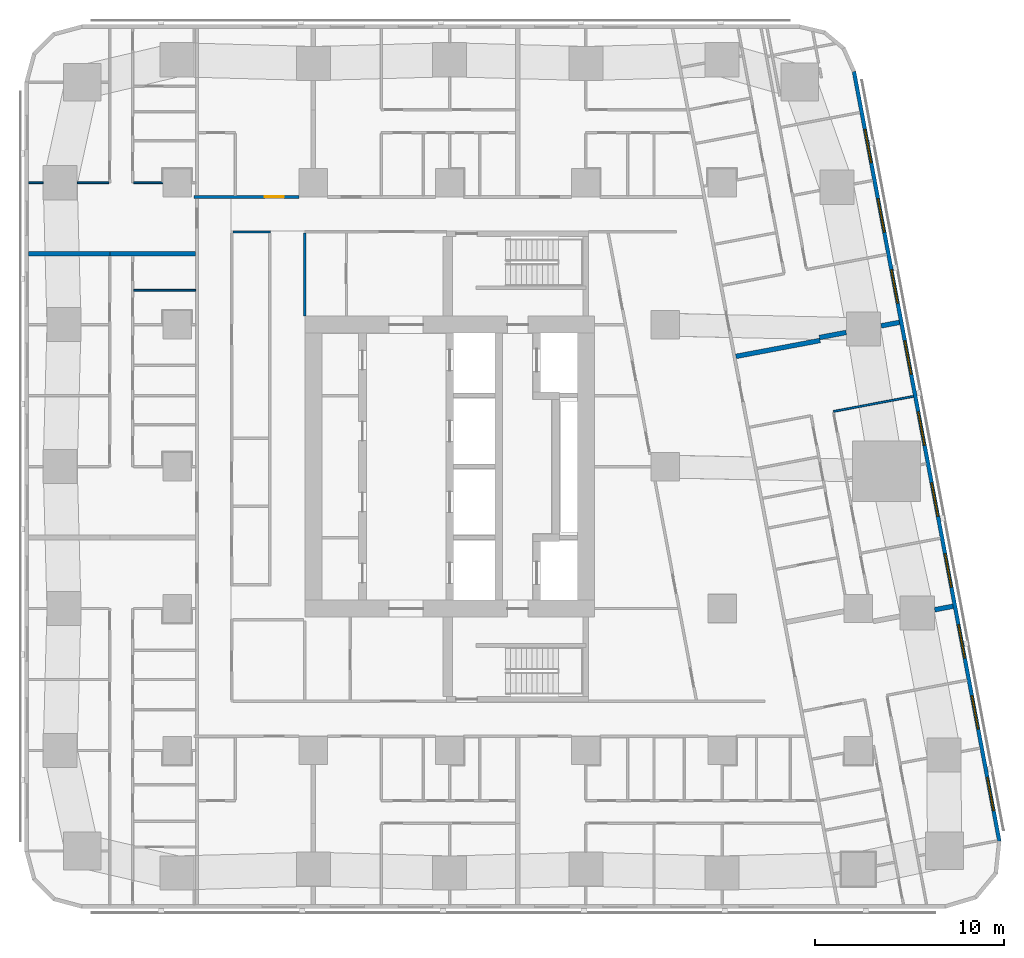
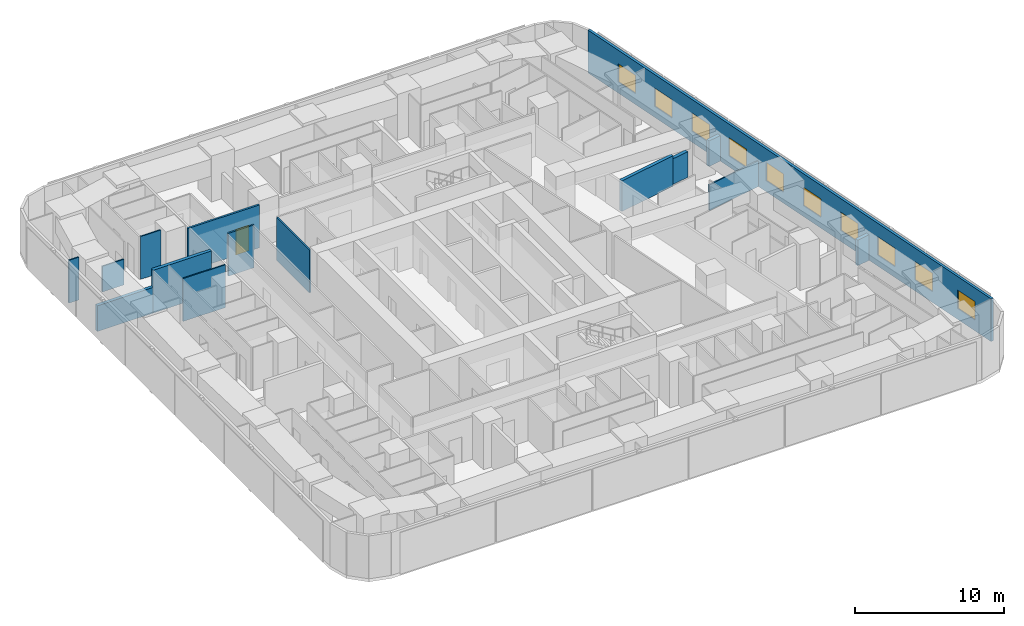
# One storey, part 8 of 15: 15 walls, 10 windows, 1 door, 11 openings.
"""IFC4 building model written with IfcOpenShell, lengths in metres."""

from ifc_helpers import new_model, si_unit, direction, frame, frame_2d, origin, place, context, subcontext, project, spatial, rectangle, extrude, material, layer, layer_set, type_object, element, fill, save


model = new_model("IFC4")

# Units and contexts
model_context = context("Model", 3, precision=1e-05, world=origin(), true_north=direction((0.0, 1.0)))
body_context = subcontext(model_context, "Body", "Model", "MODEL_VIEW")
ifc_project = project(units=[si_unit("LENGTHUNIT", "METRE"), si_unit("AREAUNIT", "SQUARE_METRE"), si_unit("VOLUMEUNIT", "CUBIC_METRE"), si_unit("PLANEANGLEUNIT", "RADIAN"), si_unit("MASSUNIT", "GRAM", prefix="KILO")], contexts=[model_context])

# Site, building, storey
site_placement = place(None, origin())
site = spatial("IfcSite", under=ifc_project, at=site_placement, CompositionType="ELEMENT")
building_placement = place(site_placement, origin())
building = spatial("IfcBuilding", under=site, at=building_placement, Name="Sheger Commons Tower", CompositionType="ELEMENT")
storey_placement = place(building_placement, frame((0.0, 0.0, 150.800048828125)))
storey = spatial("IfcBuildingStorey", under=building, at=storey_placement, Name="L38", CompositionType="ELEMENT", Elevation=150.800048828125)

# Wall, opening, door
ifc_material_1 = material(Name="Hollow concrete block masonry, skimmed both sides", Category="masonry")
ifc_layer_1 = layer(ifc_material_1, 0.14990234375)
ifc_layer_set_1 = layer_set([ifc_layer_1], Name="CORRIDOR WALL 150")
wall_type_1 = type_object("IfcWallType", Name="CORRIDOR WALL 150", PredefinedType="SOLIDWALL", material=ifc_layer_set_1)
wall_1_placement = place(storey_placement, frame((8.10009765625, 36.75, 0.0), z_axis=(0.0, 0.0, 1.0), x_axis=(1.0, 0.0, 0.0)))
wall_1 = element("IfcWall", 1, at=wall_1_placement, inside=storey, type_object=wall_type_1, Name="Corridor wall L38", PredefinedType="SOLIDWALL", context=body_context, shape_type="SweptSolid", body=[
    extrude(rectangle(XDim=5.548828125, YDim=0.14990234375, at=frame_2d((2.7744140625, 0.0))), origin(), (0.0, 0.0, 1.0), 3.5),
])
opening_1_placement = place(wall_1_placement, frame((3.739013671875, 0.0, 0.0)))
opening_1 = element("IfcOpeningElement", 2, at=opening_1_placement, cuts=wall_1, Name="Opening D1", PredefinedType="OPENING", context=body_context, shape_type="SweptSolid", body=[
    extrude(rectangle(XDim=1.0, YDim=2.10009765625, at=frame_2d((0.5, 1.050048828125))), frame((0.0, 0.0849609375, 0.0), z_axis=(0.0, -1.0, 0.0), x_axis=(1.0, 0.0, 0.0)), (0.0, 0.0, 1.0), 0.169921875),
])
ifc_material_2 = material(Name="Steel door set, fire rated", Category="steel")
door_type = type_object("IfcDoorType", Name="FLAT ENTRANCE DOOR 1000x2100", OperationType="NOTDEFINED", PredefinedType="DOOR", material=ifc_material_2)
door_placement = place(opening_1_placement, origin())
door = element("IfcDoor", 3, at=door_placement, inside=storey, type_object=door_type, Name="Flat entrance door", OperationType="SINGLE_SWING_RIGHT", OverallHeight=2.10009765625, OverallWidth=1.0, PredefinedType="DOOR", context=body_context, shape_type="SweptSolid", body=[
    extrude(rectangle(XDim=1.0, YDim=2.10009765625, at=frame_2d((0.5, 1.050048828125))), frame((0.0, 0.02490234375, 0.0), z_axis=(0.0, -1.0, 0.0), x_axis=(1.0, 0.0, 0.0)), (0.0, 0.0, 1.0), 0.050048828125),
])
fill(opening_1, door)

# Walls
ifc_material_3 = material(Name="Dense concrete block masonry, plastered both sides (separating wall between flats)", Category="masonry")
ifc_layer_2 = layer(ifc_material_3, 0.25)
ifc_layer_set_2 = layer_set([ifc_layer_2], Name="DEMISING WALL 250")
wall_type_2 = type_object("IfcWallType", Name="DEMISING WALL 250", PredefinedType="SOLIDWALL", material=ifc_layer_set_2)
wall_2_placement = place(storey_placement, frame((-0.64990234375, 33.75, 0.0), z_axis=(0.0, 0.0, 1.0), x_axis=(1.0, 0.0, 0.0)))
element("IfcWall", 4, at=wall_2_placement, inside=storey, type_object=wall_type_2, Name="Demising wall L38", PredefinedType="SOLIDWALL", context=body_context, shape_type="SweptSolid", body=[
    extrude(rectangle(XDim=4.2998046875, YDim=0.25, at=frame_2d((2.14990234375, 0.0))), origin(), (0.0, 0.0, 1.0), 2.099853515625),
])
wall_3_placement = place(storey_placement, frame((3.64990234375, 33.75, 0.0), z_axis=(0.0, 0.0, 1.0), x_axis=(1.0, 0.0, 0.0)))
element("IfcWall", 5, at=wall_3_placement, inside=storey, type_object=wall_type_2, Name="Demising wall L38", PredefinedType="SOLIDWALL", context=body_context, shape_type="SweptSolid", body=[
    extrude(rectangle(XDim=4.525146484375, YDim=0.25, at=frame_2d((2.2626953125, 0.0))), origin(), (0.0, 0.0, 1.0), 3.5),
])
wall_4_placement = place(storey_placement, frame((45.3720703125, 30.12109375, 0.0), z_axis=(0.0, 0.0, 1.0), x_axis=(-0.982576361834, -0.185859337043, 0.0)))
element("IfcWall", 6, at=wall_4_placement, inside=storey, type_object=wall_type_2, Name="Demising wall L38", PredefinedType="SOLIDWALL", context=body_context, shape_type="SweptSolid", body=[
    extrude(rectangle(XDim=0.985107421875, YDim=0.25, at=frame_2d((0.49267578125, 0.0))), origin(), (0.0, 0.0, 1.0), 2.099853515625),
])
wall_5_placement = place(storey_placement, frame((42.555908203125, 29.589111328125, 0.0), z_axis=(0.0, 0.0, 1.0), x_axis=(-0.982502104561, -0.18625148196, 0.0)))
element("IfcWall", 7, at=wall_5_placement, inside=storey, type_object=wall_type_2, Name="Demising wall L38", PredefinedType="SOLIDWALL", context=body_context, shape_type="SweptSolid", body=[
    extrude(rectangle(XDim=1.43408203125, YDim=0.25, at=frame_2d((0.717041015625, 0.0))), origin(), (0.0, 0.0, 1.0), 2.099853515625),
])
wall_6_placement = place(storey_placement, frame((41.177001953125, 29.1640625, 0.0), z_axis=(0.0, 0.0, 1.0), x_axis=(-0.982612837616, -0.185666398014, 0.0)))
element("IfcWall", 8, at=wall_6_placement, inside=storey, type_object=wall_type_2, Name="Demising wall L38", PredefinedType="SOLIDWALL", context=body_context, shape_type="SweptSolid", body=[
    extrude(rectangle(XDim=4.524658203125, YDim=0.25, at=frame_2d((2.26220703125, 0.0))), origin(), (0.0, 0.0, 1.0), 2.5),
])
wall_7_placement = place(storey_placement, frame((48.2060546875, 15.1201171875, 0.0), z_axis=(0.0, 0.0, 1.0), x_axis=(-0.982576361834, -0.185859337043, 0.0)))
element("IfcWall", 9, at=wall_7_placement, inside=storey, type_object=wall_type_2, Name="Demising wall L38", PredefinedType="SOLIDWALL", context=body_context, shape_type="SweptSolid", body=[
    extrude(rectangle(XDim=0.985107421875, YDim=0.25, at=frame_2d((0.49267578125, 0.0))), origin(), (0.0, 0.0, 1.0), 2.099853515625),
])

# Wall, openings, windows
ifc_material_4 = material(Name="Rendered concrete block masonry, dark grey", Category="masonry")
ifc_layer_3 = layer(ifc_material_4, 0.199951171875)
ifc_layer_set_3 = layer_set([ifc_layer_3], Name="FACADE WALL 200")
wall_type_3 = type_object("IfcWallType", Name="FACADE WALL 200", PredefinedType="SOLIDWALL", material=ifc_layer_set_3)
wall_8_placement = place(storey_placement, frame((50.653076171875, 2.702880859375, 0.0), z_axis=(0.0, 0.0, 1.0), x_axis=(-0.185612026696, 0.982623109613, 0.0)))
wall_8 = element("IfcWall", 10, at=wall_8_placement, inside=storey, type_object=wall_type_3, Name="Facade wall L38", PredefinedType="SOLIDWALL", context=body_context, shape_type="SweptSolid", body=[
    extrude(rectangle(XDim=41.393310546875, YDim=0.199951171875, at=frame_2d((20.69677734375, 0.0))), origin(), (0.0, 0.0, 1.0), 3.5),
])
opening_2_placement = place(wall_8_placement, frame((1.633056640625, 0.0, 0.89990234375)))
opening_2 = element("IfcOpeningElement", 11, at=opening_2_placement, cuts=wall_8, Name="Opening W2", PredefinedType="OPENING", context=body_context, shape_type="SweptSolid", body=[
    extrude(rectangle(XDim=1.800048828125, YDim=1.5, at=frame_2d((0.89990234375, 0.75))), frame((0.0, 0.10986328125, 0.0), z_axis=(0.0, -1.0, 0.0), x_axis=(1.0, 0.0, 0.0)), (0.0, 0.0, 1.0), 0.219970703125),
])
opening_3_placement = place(wall_8_placement, frame((6.031982421875, 0.0, 0.89990234375)))
opening_3 = element("IfcOpeningElement", 12, at=opening_3_placement, cuts=wall_8, Name="Opening W2", PredefinedType="OPENING", context=body_context, shape_type="SweptSolid", body=[
    extrude(rectangle(XDim=1.800048828125, YDim=1.5, at=frame_2d((0.89990234375, 0.75))), frame((0.0, 0.10986328125, 0.0), z_axis=(0.0, -1.0, 0.0), x_axis=(1.0, 0.0, 0.0)), (0.0, 0.0, 1.0), 0.219970703125),
])
opening_4_placement = place(wall_8_placement, frame((9.847900390625, 0.0, 0.89990234375)))
opening_4 = element("IfcOpeningElement", 13, at=opening_4_placement, cuts=wall_8, Name="Opening W2", PredefinedType="OPENING", context=body_context, shape_type="SweptSolid", body=[
    extrude(rectangle(XDim=1.800048828125, YDim=1.5, at=frame_2d((0.89990234375, 0.75))), frame((0.0, 0.10986328125, 0.0), z_axis=(0.0, -1.0, 0.0), x_axis=(1.0, 0.0, 0.0)), (0.0, 0.0, 1.0), 0.219970703125),
])
opening_5_placement = place(wall_8_placement, frame((13.6640625, 0.0, 0.89990234375)))
opening_5 = element("IfcOpeningElement", 14, at=opening_5_placement, cuts=wall_8, Name="Opening W2", PredefinedType="OPENING", context=body_context, shape_type="SweptSolid", body=[
    extrude(rectangle(XDim=1.800048828125, YDim=1.5, at=frame_2d((0.89990234375, 0.75))), frame((0.0, 0.10986328125, 0.0), z_axis=(0.0, -1.0, 0.0), x_axis=(1.0, 0.0, 0.0)), (0.0, 0.0, 1.0), 0.219970703125),
])
opening_6_placement = place(wall_8_placement, frame((17.48095703125, 0.0, 0.89990234375)))
opening_6 = element("IfcOpeningElement", 15, at=opening_6_placement, cuts=wall_8, Name="Opening W2", PredefinedType="OPENING", context=body_context, shape_type="SweptSolid", body=[
    extrude(rectangle(XDim=1.800048828125, YDim=1.5, at=frame_2d((0.89990234375, 0.75))), frame((0.0, 0.10986328125, 0.0), z_axis=(0.0, -1.0, 0.0), x_axis=(1.0, 0.0, 0.0)), (0.0, 0.0, 1.0), 0.219970703125),
])
opening_7_placement = place(wall_8_placement, frame((21.297119140625, 0.0, 0.89990234375)))
opening_7 = element("IfcOpeningElement", 16, at=opening_7_placement, cuts=wall_8, Name="Opening W2", PredefinedType="OPENING", context=body_context, shape_type="SweptSolid", body=[
    extrude(rectangle(XDim=1.800048828125, YDim=1.5, at=frame_2d((0.89990234375, 0.75))), frame((0.0, 0.10986328125, 0.0), z_axis=(0.0, -1.0, 0.0), x_axis=(1.0, 0.0, 0.0)), (0.0, 0.0, 1.0), 0.219970703125),
])
opening_8_placement = place(wall_8_placement, frame((25.113037109375, 0.0, 0.89990234375)))
opening_8 = element("IfcOpeningElement", 17, at=opening_8_placement, cuts=wall_8, Name="Opening W2", PredefinedType="OPENING", context=body_context, shape_type="SweptSolid", body=[
    extrude(rectangle(XDim=1.800048828125, YDim=1.5, at=frame_2d((0.89990234375, 0.75))), frame((0.0, 0.10986328125, 0.0), z_axis=(0.0, -1.0, 0.0), x_axis=(1.0, 0.0, 0.0)), (0.0, 0.0, 1.0), 0.219970703125),
])
opening_9_placement = place(wall_8_placement, frame((28.929931640625, 0.0, 0.89990234375)))
opening_9 = element("IfcOpeningElement", 18, at=opening_9_placement, cuts=wall_8, Name="Opening W2", PredefinedType="OPENING", context=body_context, shape_type="SweptSolid", body=[
    extrude(rectangle(XDim=1.800048828125, YDim=1.5, at=frame_2d((0.89990234375, 0.75))), frame((0.0, 0.10986328125, 0.0), z_axis=(0.0, -1.0, 0.0), x_axis=(1.0, 0.0, 0.0)), (0.0, 0.0, 1.0), 0.219970703125),
])
opening_10_placement = place(wall_8_placement, frame((32.74609375, 0.0, 0.89990234375)))
opening_10 = element("IfcOpeningElement", 19, at=opening_10_placement, cuts=wall_8, Name="Opening W2", PredefinedType="OPENING", context=body_context, shape_type="SweptSolid", body=[
    extrude(rectangle(XDim=1.800048828125, YDim=1.5, at=frame_2d((0.89990234375, 0.75))), frame((0.0, 0.10986328125, 0.0), z_axis=(0.0, -1.0, 0.0), x_axis=(1.0, 0.0, 0.0)), (0.0, 0.0, 1.0), 0.219970703125),
])
opening_11_placement = place(wall_8_placement, frame((36.48095703125, 0.0, 0.89990234375)))
opening_11 = element("IfcOpeningElement", 20, at=opening_11_placement, cuts=wall_8, Name="Opening W2", PredefinedType="OPENING", context=body_context, shape_type="SweptSolid", body=[
    extrude(rectangle(XDim=1.800048828125, YDim=1.5, at=frame_2d((0.89990234375, 0.75))), frame((0.0, 0.10986328125, 0.0), z_axis=(0.0, -1.0, 0.0), x_axis=(1.0, 0.0, 0.0)), (0.0, 0.0, 1.0), 0.219970703125),
])
ifc_material_5 = material(Name="Black aluminium frame, dark tinted double glazing", Category="aluminium")
window_type = type_object("IfcWindowType", Name="WINDOW W2 1800x1500", PartitioningType="SINGLE_PANEL", PredefinedType="WINDOW", material=ifc_material_5)
window_1_placement = place(opening_2_placement, origin())
window_1 = element("IfcWindow", 21, at=window_1_placement, inside=storey, type_object=window_type, Name="Window W2 1800X1500", OverallHeight=1.5, OverallWidth=1.800048828125, PartitioningType="SINGLE_PANEL", PredefinedType="WINDOW", context=body_context, shape_type="SweptSolid", body=[
    extrude(rectangle(XDim=1.800048828125, YDim=1.5, at=frame_2d((0.89990234375, 0.75))), frame((0.0, 0.030029296875, 0.0), z_axis=(0.0, -1.0, 0.0), x_axis=(1.0, 0.0, 0.0)), (0.0, 0.0, 1.0), 0.06005859375),
])
fill(opening_2, window_1)
window_2_placement = place(opening_3_placement, origin())
window_2 = element("IfcWindow", 22, at=window_2_placement, inside=storey, type_object=window_type, Name="Window W2 1800X1500", OverallHeight=1.5, OverallWidth=1.800048828125, PartitioningType="SINGLE_PANEL", PredefinedType="WINDOW", context=body_context, shape_type="SweptSolid", body=[
    extrude(rectangle(XDim=1.800048828125, YDim=1.5, at=frame_2d((0.89990234375, 0.75))), frame((0.0, 0.030029296875, 0.0), z_axis=(0.0, -1.0, 0.0), x_axis=(1.0, 0.0, 0.0)), (0.0, 0.0, 1.0), 0.06005859375),
])
fill(opening_3, window_2)
window_3_placement = place(opening_4_placement, origin())
window_3 = element("IfcWindow", 23, at=window_3_placement, inside=storey, type_object=window_type, Name="Window W2 1800X1500", OverallHeight=1.5, OverallWidth=1.800048828125, PartitioningType="SINGLE_PANEL", PredefinedType="WINDOW", context=body_context, shape_type="SweptSolid", body=[
    extrude(rectangle(XDim=1.800048828125, YDim=1.5, at=frame_2d((0.89990234375, 0.75))), frame((0.0, 0.030029296875, 0.0), z_axis=(0.0, -1.0, 0.0), x_axis=(1.0, 0.0, 0.0)), (0.0, 0.0, 1.0), 0.06005859375),
])
fill(opening_4, window_3)
window_4_placement = place(opening_5_placement, origin())
window_4 = element("IfcWindow", 24, at=window_4_placement, inside=storey, type_object=window_type, Name="Window W2 1800X1500", OverallHeight=1.5, OverallWidth=1.800048828125, PartitioningType="SINGLE_PANEL", PredefinedType="WINDOW", context=body_context, shape_type="SweptSolid", body=[
    extrude(rectangle(XDim=1.800048828125, YDim=1.5, at=frame_2d((0.89990234375, 0.75))), frame((0.0, 0.030029296875, 0.0), z_axis=(0.0, -1.0, 0.0), x_axis=(1.0, 0.0, 0.0)), (0.0, 0.0, 1.0), 0.06005859375),
])
fill(opening_5, window_4)
window_5_placement = place(opening_6_placement, origin())
window_5 = element("IfcWindow", 25, at=window_5_placement, inside=storey, type_object=window_type, Name="Window W2 1800X1500", OverallHeight=1.5, OverallWidth=1.800048828125, PartitioningType="SINGLE_PANEL", PredefinedType="WINDOW", context=body_context, shape_type="SweptSolid", body=[
    extrude(rectangle(XDim=1.800048828125, YDim=1.5, at=frame_2d((0.89990234375, 0.75))), frame((0.0, 0.030029296875, 0.0), z_axis=(0.0, -1.0, 0.0), x_axis=(1.0, 0.0, 0.0)), (0.0, 0.0, 1.0), 0.06005859375),
])
fill(opening_6, window_5)
window_6_placement = place(opening_7_placement, origin())
window_6 = element("IfcWindow", 26, at=window_6_placement, inside=storey, type_object=window_type, Name="Window W2 1800X1500", OverallHeight=1.5, OverallWidth=1.800048828125, PartitioningType="SINGLE_PANEL", PredefinedType="WINDOW", context=body_context, shape_type="SweptSolid", body=[
    extrude(rectangle(XDim=1.800048828125, YDim=1.5, at=frame_2d((0.89990234375, 0.75))), frame((0.0, 0.030029296875, 0.0), z_axis=(0.0, -1.0, 0.0), x_axis=(1.0, 0.0, 0.0)), (0.0, 0.0, 1.0), 0.06005859375),
])
fill(opening_7, window_6)
window_7_placement = place(opening_8_placement, origin())
window_7 = element("IfcWindow", 27, at=window_7_placement, inside=storey, type_object=window_type, Name="Window W2 1800X1500", OverallHeight=1.5, OverallWidth=1.800048828125, PartitioningType="SINGLE_PANEL", PredefinedType="WINDOW", context=body_context, shape_type="SweptSolid", body=[
    extrude(rectangle(XDim=1.800048828125, YDim=1.5, at=frame_2d((0.89990234375, 0.75))), frame((0.0, 0.030029296875, 0.0), z_axis=(0.0, -1.0, 0.0), x_axis=(1.0, 0.0, 0.0)), (0.0, 0.0, 1.0), 0.06005859375),
])
fill(opening_8, window_7)
window_8_placement = place(opening_9_placement, origin())
window_8 = element("IfcWindow", 28, at=window_8_placement, inside=storey, type_object=window_type, Name="Window W2 1800X1500", OverallHeight=1.5, OverallWidth=1.800048828125, PartitioningType="SINGLE_PANEL", PredefinedType="WINDOW", context=body_context, shape_type="SweptSolid", body=[
    extrude(rectangle(XDim=1.800048828125, YDim=1.5, at=frame_2d((0.89990234375, 0.75))), frame((0.0, 0.030029296875, 0.0), z_axis=(0.0, -1.0, 0.0), x_axis=(1.0, 0.0, 0.0)), (0.0, 0.0, 1.0), 0.06005859375),
])
fill(opening_9, window_8)
window_9_placement = place(opening_10_placement, origin())
window_9 = element("IfcWindow", 29, at=window_9_placement, inside=storey, type_object=window_type, Name="Window W2 1800X1500", OverallHeight=1.5, OverallWidth=1.800048828125, PartitioningType="SINGLE_PANEL", PredefinedType="WINDOW", context=body_context, shape_type="SweptSolid", body=[
    extrude(rectangle(XDim=1.800048828125, YDim=1.5, at=frame_2d((0.89990234375, 0.75))), frame((0.0, 0.030029296875, 0.0), z_axis=(0.0, -1.0, 0.0), x_axis=(1.0, 0.0, 0.0)), (0.0, 0.0, 1.0), 0.06005859375),
])
fill(opening_10, window_9)
window_10_placement = place(opening_11_placement, origin())
window_10 = element("IfcWindow", 30, at=window_10_placement, inside=storey, type_object=window_type, Name="Window W2 1800X1500", OverallHeight=1.5, OverallWidth=1.800048828125, PartitioningType="SINGLE_PANEL", PredefinedType="WINDOW", context=body_context, shape_type="SweptSolid", body=[
    extrude(rectangle(XDim=1.800048828125, YDim=1.5, at=frame_2d((0.89990234375, 0.75))), frame((0.0, 0.030029296875, 0.0), z_axis=(0.0, -1.0, 0.0), x_axis=(1.0, 0.0, 0.0)), (0.0, 0.0, 1.0), 0.06005859375),
])
fill(opening_11, window_10)

# Walls
ifc_material_6 = material(Name="Gypsum board on steel studs", Category="steel")
ifc_layer_4 = layer(ifc_material_6, 0.10009765625)
ifc_layer_set_4 = layer_set([ifc_layer_4], Name="PARTITION 100")
wall_type_4 = type_object("IfcWallType", Name="PARTITION 100", PredefinedType="PARTITIONING", material=ifc_layer_set_4)
wall_9_placement = place(storey_placement, frame((4.89990234375, 31.820068359375, 0.0), z_axis=(0.0, 0.0, 1.0), x_axis=(1.0, 0.0, 0.0)))
element("IfcWall", 31, at=wall_9_placement, inside=storey, type_object=wall_type_4, Name="Partition L38", PredefinedType="PARTITIONING", context=body_context, shape_type="SweptSolid", body=[
    extrude(rectangle(XDim=3.275146484375, YDim=0.10009765625, at=frame_2d((1.6376953125, 0.0))), origin(), (0.0, 0.0, 1.0), 3.5),
])
wall_10_placement = place(storey_placement, frame((-0.64990234375, 37.5, 0.0), z_axis=(0.0, 0.0, 1.0), x_axis=(1.0, 0.0, 0.0)))
element("IfcWall", 32, at=wall_10_placement, inside=storey, type_object=wall_type_4, Name="Partition L38", PredefinedType="PARTITIONING", context=body_context, shape_type="SweptSolid", body=[
    extrude(rectangle(XDim=0.77392578125, YDim=0.10009765625, at=frame_2d((0.386962890625, 0.0))), origin(), (0.0, 0.0, 1.0), 3.5),
])
wall_11_placement = place(storey_placement, frame((1.926025390625, 37.5, 0.0), z_axis=(0.0, 0.0, 1.0), x_axis=(1.0, 0.0, 0.0)))
element("IfcWall", 33, at=wall_11_placement, inside=storey, type_object=wall_type_4, Name="Partition L38", PredefinedType="PARTITIONING", context=body_context, shape_type="SweptSolid", body=[
    extrude(rectangle(XDim=1.674072265625, YDim=0.10009765625, at=frame_2d((0.8369140625, 0.0))), origin(), (0.0, 0.0, 1.0), 2.099853515625),
])
wall_12_placement = place(storey_placement, frame((4.89990234375, 37.5, 0.0), z_axis=(0.0, 0.0, 1.0), x_axis=(1.0, 0.0, 0.0)))
element("IfcWall", 34, at=wall_12_placement, inside=storey, type_object=wall_type_4, Name="Partition L38", PredefinedType="PARTITIONING", context=body_context, shape_type="SweptSolid", body=[
    extrude(rectangle(XDim=1.549072265625, YDim=0.10009765625, at=frame_2d((0.7744140625, 0.0))), origin(), (0.0, 0.0, 1.0), 3.5),
])
wall_13_placement = place(storey_placement, frame((46.110107421875, 26.212890625, 0.0), z_axis=(0.0, 0.0, 1.0), x_axis=(-0.982633535512, -0.185556823879, 0.0)))
element("IfcWall", 35, at=wall_13_placement, inside=storey, type_object=wall_type_4, Name="Partition L38", PredefinedType="PARTITIONING", context=body_context, shape_type="SweptSolid", body=[
    extrude(rectangle(XDim=4.2998046875, YDim=0.10009765625, at=frame_2d((2.14990234375, 0.0))), origin(), (0.0, 0.0, 1.0), 2.099853515625),
])
ifc_material_7 = material(Name="Gypsum board on steel studs, two layers each side, fire rated", Category="steel")
ifc_layer_5 = layer(ifc_material_7, 0.125)
ifc_layer_set_5 = layer_set([ifc_layer_5], Name="SERVICE WALL 125")
wall_type_5 = type_object("IfcWallType", Name="SERVICE WALL 125", PredefinedType="PARTITIONING", material=ifc_layer_set_5)
wall_14_placement = place(storey_placement, frame((13.949951171875, 30.449951171875, 0.0), z_axis=(0.0, 0.0, 1.0), x_axis=(0.0, 1.0, 0.0)))
element("IfcWall", 36, at=wall_14_placement, inside=storey, type_object=wall_type_5, Name="Service room wall L38", PredefinedType="PARTITIONING", context=body_context, shape_type="SweptSolid", body=[
    extrude(rectangle(XDim=4.386962890625, YDim=0.125, at=frame_2d((2.193359375, 0.0))), origin(), (0.0, 0.0, 1.0), 3.5),
])
wall_15_placement = place(storey_placement, frame((10.162109375, 34.89990234375, 0.0), z_axis=(0.0, 0.0, 1.0), x_axis=(1.0, 0.0, 0.0)))
element("IfcWall", 37, at=wall_15_placement, inside=storey, type_object=wall_type_5, Name="Service room wall L38", PredefinedType="PARTITIONING", context=body_context, shape_type="SweptSolid", body=[
    extrude(rectangle(XDim=1.98779296875, YDim=0.125, at=frame_2d((0.993896484375, 0.0))), origin(), (0.0, 0.0, 1.0), 3.5),
])

save(model, "model.ifc")
